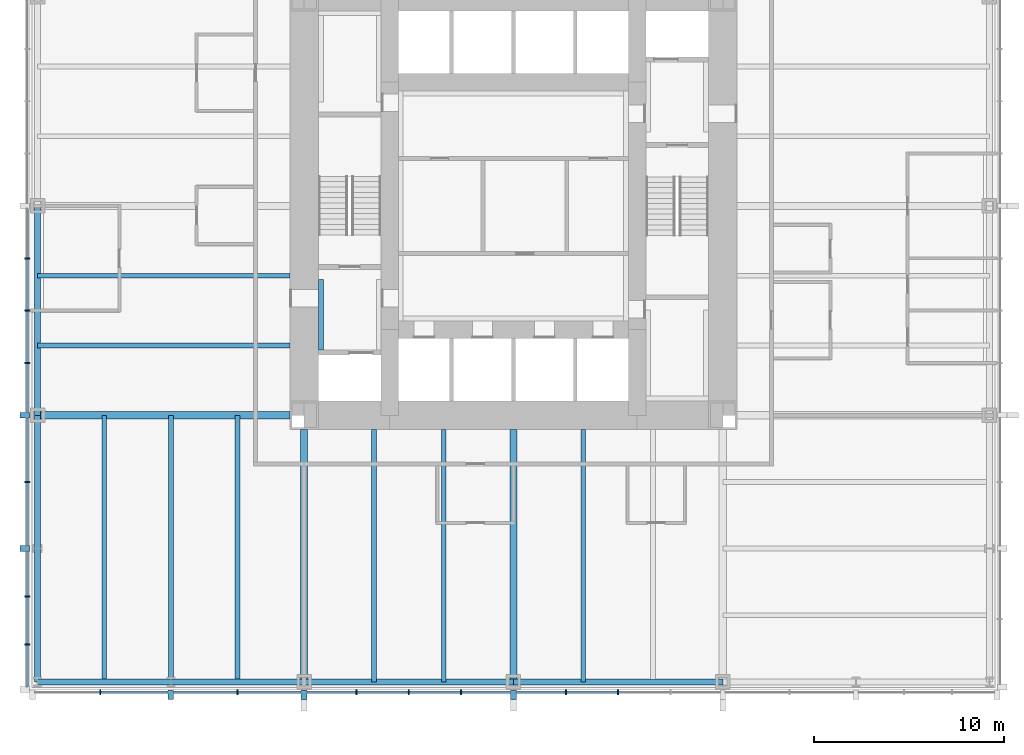
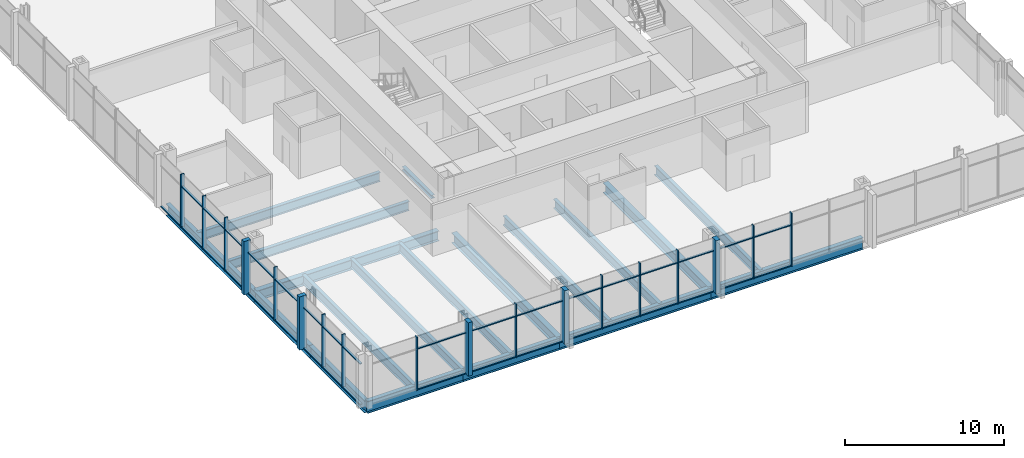
# One storey, part 2 of 12: 53 members, 19 beams, 2 elements without a shape of their own.
"""IFC4 building model written with IfcOpenShell, lengths in metres."""

from ifc_helpers import new_model, si_unit, direction, frame, origin, origin_2d, place, context, subcontext, project, spatial, rectangle, i_section, extrude, material, material_profile, profile_set, type_object, element, aggregate, save


model = new_model("IFC4")

# Units and contexts
model_context = context("Model", 3, precision=1e-05, world=origin(), true_north=direction((0.0, 1.0)))
body_context = subcontext(model_context, "Body", "Model", "MODEL_VIEW")
ifc_project = project(units=[si_unit("LENGTHUNIT", "METRE"), si_unit("AREAUNIT", "SQUARE_METRE"), si_unit("VOLUMEUNIT", "CUBIC_METRE"), si_unit("PLANEANGLEUNIT", "RADIAN"), si_unit("MASSUNIT", "GRAM", prefix="KILO")], contexts=[model_context])

# Site, building, storey
site_placement = place(None, origin())
site = spatial("IfcSite", under=ifc_project, at=site_placement, CompositionType="ELEMENT")
building_placement = place(site_placement, origin())
building = spatial("IfcBuilding", under=site, at=building_placement, Name="Trevanion Tower", CompositionType="ELEMENT")
storey_placement = place(building_placement, frame((0.0, 0.0, 20.10009765625)))
storey = spatial("IfcBuildingStorey", under=building, at=storey_placement, Name="L04", CompositionType="ELEMENT", Elevation=20.10009765625)

# Beams
ifc_material_1 = material(Name="Steel ASTM A992 Grade 50", Category="steel")
ifc_material_profile_1 = material_profile(ifc_material_1, i_section(OverallWidth=0.25390625, OverallDepth=0.700927734375, WebThickness=0.015380859375, FlangeThickness=0.02783203125, at=origin_2d()), Name="W27X129")
ifc_profile_set_1 = profile_set([ifc_material_profile_1], Name="Steel ASTM A992 Grade 50")
beam_type_1 = type_object("IfcBeamType", Name="B3 W27X129", PredefinedType="BEAM", material=ifc_profile_set_1)
for number, where, z_axis, x_axis, name in (
    (1, (-11.75, -3.666748046875, -0.54052734375), (-1.0, 0.0, 0.0), (0.0, -1.0, 0.0), "B3 L04"),
    (2, (-11.75, -7.333251953125, -0.54052734375), (-1.0, 0.0, 0.0), (0.0, -1.0, 0.0), "B3 L04"),
    (3, (-7.333251953125, -11.75, -0.54052734375), (0.0, -1.0, 0.0), (1.0, 0.0, 0.0), "B3 L04"),
    (4, (-3.666748046875, -11.75, -0.54052734375), (0.0, -1.0, 0.0), (1.0, 0.0, 0.0), "B3 L04"),
    (5, (3.666748046875, -11.75, -0.54052734375), (0.0, -1.0, 0.0), (1.0, 0.0, 0.0), "B3 L04"),
):
    element("IfcBeam", number, at=place(storey_placement, frame(where, z_axis=z_axis, x_axis=x_axis)), inside=storey, type_object=beam_type_1, Name=name, PredefinedType="BEAM", context=body_context, shape_type="SweptSolid", body=[
        extrude(i_section(OverallWidth=0.25390625, OverallDepth=0.700927734375, WebThickness=0.015380859375, FlangeThickness=0.02783203125, at=origin_2d()), origin(), (0.0, 0.0, 1.0), 13.25),
    ])
ifc_material_2 = material(Name="Steel ASTM A992 Grade 50", Category="steel")
ifc_material_profile_2 = material_profile(ifc_material_2, i_section(OverallWidth=0.256591796875, OverallDepth=0.693359375, WebThickness=0.014404296875, FlangeThickness=0.023681640625, at=origin_2d()), Name="W27X114")
ifc_profile_set_2 = profile_set([ifc_material_profile_2], Name="Steel ASTM A992 Grade 50")
beam_type_2 = type_object("IfcBeamType", Name="B4 W27X114", PredefinedType="BEAM", material=ifc_profile_set_2)
for number, where, z_axis, x_axis, name in (
    (6, (-14.5, -11.0, -0.536865234375), (0.0, -1.0, 0.0), (1.0, 0.0, 0.0), "B4 L04"),
    (7, (-18.0, -11.0, -0.536865234375), (0.0, -1.0, 0.0), (1.0, 0.0, 0.0), "B4 L04"),
    (8, (-21.5, -11.0, -0.536865234375), (0.0, -1.0, 0.0), (1.0, 0.0, 0.0), "B4 L04"),
):
    element("IfcBeam", number, at=place(storey_placement, frame(where, z_axis=z_axis, x_axis=x_axis)), inside=storey, type_object=beam_type_2, Name=name, PredefinedType="BEAM", context=body_context, shape_type="SweptSolid", body=[
        extrude(i_section(OverallWidth=0.256591796875, OverallDepth=0.693359375, WebThickness=0.014404296875, FlangeThickness=0.023681640625, at=origin_2d()), origin(), (0.0, 0.0, 1.0), 14.0),
    ])

# Curtain wall, members
ifc_material_3 = material(Name="Aluminium and glass", Category="aluminium")
curtain_wall_type = type_object("IfcCurtainWallType", Name="CW1 curtain wall", PredefinedType="USERDEFINED", material=ifc_material_3)
curtain_wall_1_placement = place(storey_placement, origin())
curtain_wall_1 = element("IfcCurtainWall", 9, at=curtain_wall_1_placement, inside=storey, type_object=curtain_wall_type, Name="CW1 L04 2", ObjectType="UNITISED CURTAIN WALL", PredefinedType="USERDEFINED")
ifc_material_4 = material(Name="Aluminium extrusion, anodised bronze", Category="aluminium")
ifc_material_profile_3 = material_profile(ifc_material_4, rectangle(XDim=0.074951171875, YDim=0.25, at=origin_2d()), Name="CW1 mullion")
ifc_profile_set_3 = profile_set([ifc_material_profile_3], Name="Aluminium extrusion, anodised bronze")
member_type_1 = type_object("IfcMemberType", Name="CW1 mullion", PredefinedType="MULLION", material=ifc_profile_set_3)
member_1_placement = place(storey_placement, frame((-25.550048828125, -2.75, -0.190185546875), z_axis=(0.0, 0.0, 1.0), x_axis=(0.0, -1.0, 0.0)))
member_1 = element("IfcMember", 10, at=member_1_placement, type_object=member_type_1, Name="CW1 mullion 10", PredefinedType="MULLION", context=body_context, shape_type="SweptSolid", body=[
    extrude(rectangle(XDim=0.074951171875, YDim=0.25, at=origin_2d()), origin(), (0.0, 0.0, 1.0), 4.10009765625),
])
member_2_placement = place(storey_placement, frame((-25.550048828125, -5.5, -0.190185546875), z_axis=(0.0, 0.0, 1.0), x_axis=(0.0, -1.0, 0.0)))
member_2 = element("IfcMember", 11, at=member_2_placement, type_object=member_type_1, Name="CW1 mullion 11", PredefinedType="MULLION", context=body_context, shape_type="SweptSolid", body=[
    extrude(rectangle(XDim=0.074951171875, YDim=0.25, at=origin_2d()), origin(), (0.0, 0.0, 1.0), 4.10009765625),
])
member_3_placement = place(storey_placement, frame((-25.550048828125, -8.25, -0.190185546875), z_axis=(0.0, 0.0, 1.0), x_axis=(0.0, -1.0, 0.0)))
member_3 = element("IfcMember", 12, at=member_3_placement, type_object=member_type_1, Name="CW1 mullion 12", PredefinedType="MULLION", context=body_context, shape_type="SweptSolid", body=[
    extrude(rectangle(XDim=0.074951171875, YDim=0.25, at=origin_2d()), origin(), (0.0, 0.0, 1.0), 4.10009765625),
])
member_4_placement = place(storey_placement, frame((-25.550048828125, -14.5, -0.190185546875), z_axis=(0.0, 0.0, 1.0), x_axis=(0.0, -1.0, 0.0)))
member_4 = element("IfcMember", 13, at=member_4_placement, type_object=member_type_1, Name="CW1 mullion 14", PredefinedType="MULLION", context=body_context, shape_type="SweptSolid", body=[
    extrude(rectangle(XDim=0.074951171875, YDim=0.25, at=origin_2d()), origin(), (0.0, 0.0, 1.0), 4.10009765625),
])
member_5_placement = place(storey_placement, frame((-25.550048828125, -20.5166015625, -0.190185546875), z_axis=(0.0, 0.0, 1.0), x_axis=(0.0, -1.0, 0.0)))
member_5 = element("IfcMember", 14, at=member_5_placement, type_object=member_type_1, Name="CW1 mullion 16", PredefinedType="MULLION", context=body_context, shape_type="SweptSolid", body=[
    extrude(rectangle(XDim=0.074951171875, YDim=0.25, at=origin_2d()), origin(), (0.0, 0.0, 1.0), 4.10009765625),
])
member_6_placement = place(storey_placement, frame((-25.550048828125, -23.033203125, -0.190185546875), z_axis=(0.0, 0.0, 1.0), x_axis=(0.0, -1.0, 0.0)))
member_6 = element("IfcMember", 15, at=member_6_placement, type_object=member_type_1, Name="CW1 mullion 17", PredefinedType="MULLION", context=body_context, shape_type="SweptSolid", body=[
    extrude(rectangle(XDim=0.074951171875, YDim=0.25, at=origin_2d()), origin(), (0.0, 0.0, 1.0), 4.10009765625),
])

curtain_wall_2_placement = place(storey_placement, origin())
curtain_wall_2 = element("IfcCurtainWall", 16, at=curtain_wall_2_placement, inside=storey, type_object=curtain_wall_type, Name="CW1 L04 3", ObjectType="UNITISED CURTAIN WALL", PredefinedType="USERDEFINED")
member_7_placement = place(storey_placement, frame((-21.7099609375, -25.550048828125, -0.190185546875), z_axis=(0.0, 0.0, 1.0), x_axis=(1.0, 0.0, 0.0)))
member_7 = element("IfcMember", 17, at=member_7_placement, type_object=member_type_1, Name="CW1 mullion 2", PredefinedType="MULLION", context=body_context, shape_type="SweptSolid", body=[
    extrude(rectangle(XDim=0.074951171875, YDim=0.25, at=origin_2d()), origin(), (0.0, 0.0, 1.0), 4.10009765625),
])
member_8_placement = place(storey_placement, frame((-14.5, -25.550048828125, -0.190185546875), z_axis=(0.0, 0.0, 1.0), x_axis=(1.0, 0.0, 0.0)))
member_8 = element("IfcMember", 18, at=member_8_placement, type_object=member_type_1, Name="CW1 mullion 4", PredefinedType="MULLION", context=body_context, shape_type="SweptSolid", body=[
    extrude(rectangle(XDim=0.074951171875, YDim=0.25, at=origin_2d()), origin(), (0.0, 0.0, 1.0), 4.10009765625),
])
member_9_placement = place(storey_placement, frame((-8.25, -25.550048828125, -0.190185546875), z_axis=(0.0, 0.0, 1.0), x_axis=(1.0, 0.0, 0.0)))
member_9 = element("IfcMember", 19, at=member_9_placement, type_object=member_type_1, Name="CW1 mullion 6", PredefinedType="MULLION", context=body_context, shape_type="SweptSolid", body=[
    extrude(rectangle(XDim=0.074951171875, YDim=0.25, at=origin_2d()), origin(), (0.0, 0.0, 1.0), 4.10009765625),
])
member_10_placement = place(storey_placement, frame((-5.5, -25.550048828125, -0.190185546875), z_axis=(0.0, 0.0, 1.0), x_axis=(1.0, 0.0, 0.0)))
member_10 = element("IfcMember", 20, at=member_10_placement, type_object=member_type_1, Name="CW1 mullion 7", PredefinedType="MULLION", context=body_context, shape_type="SweptSolid", body=[
    extrude(rectangle(XDim=0.074951171875, YDim=0.25, at=origin_2d()), origin(), (0.0, 0.0, 1.0), 4.10009765625),
])
member_11_placement = place(storey_placement, frame((-2.75, -25.550048828125, -0.190185546875), z_axis=(0.0, 0.0, 1.0), x_axis=(1.0, 0.0, 0.0)))
member_11 = element("IfcMember", 21, at=member_11_placement, type_object=member_type_1, Name="CW1 mullion 8", PredefinedType="MULLION", context=body_context, shape_type="SweptSolid", body=[
    extrude(rectangle(XDim=0.074951171875, YDim=0.25, at=origin_2d()), origin(), (0.0, 0.0, 1.0), 4.10009765625),
])
member_12_placement = place(storey_placement, frame((2.75, -25.550048828125, -0.190185546875), z_axis=(0.0, 0.0, 1.0), x_axis=(1.0, 0.0, 0.0)))
member_12 = element("IfcMember", 22, at=member_12_placement, type_object=member_type_1, Name="CW1 mullion 10", PredefinedType="MULLION", context=body_context, shape_type="SweptSolid", body=[
    extrude(rectangle(XDim=0.074951171875, YDim=0.25, at=origin_2d()), origin(), (0.0, 0.0, 1.0), 4.10009765625),
])
member_13_placement = place(storey_placement, frame((5.5, -25.550048828125, -0.190185546875), z_axis=(0.0, 0.0, 1.0), x_axis=(1.0, 0.0, 0.0)))
member_13 = element("IfcMember", 23, at=member_13_placement, type_object=member_type_1, Name="CW1 mullion 11", PredefinedType="MULLION", context=body_context, shape_type="SweptSolid", body=[
    extrude(rectangle(XDim=0.074951171875, YDim=0.25, at=origin_2d()), origin(), (0.0, 0.0, 1.0), 4.10009765625),
])

# Member
ifc_material_5 = material(Name="Aluminium extrusion, anodised bronze", Category="aluminium")
ifc_material_profile_4 = material_profile(ifc_material_5, rectangle(XDim=0.300048828125, YDim=0.5, at=origin_2d()), Name="CW1 pier mullion")
ifc_profile_set_4 = profile_set([ifc_material_profile_4], Name="Aluminium extrusion, anodised bronze")
member_type_2 = type_object("IfcMemberType", Name="CW1 pier mullion", PredefinedType="MULLION", material=ifc_profile_set_4)
member_14_placement = place(storey_placement, frame((-25.675048828125, -11.0, -0.190185546875), z_axis=(0.0, 0.0, 1.0), x_axis=(0.0, -1.0, 0.0)))
member_14 = element("IfcMember", 24, at=member_14_placement, type_object=member_type_2, Name="CW1 pier mullion 13", PredefinedType="MULLION", context=body_context, shape_type="SweptSolid", body=[
    extrude(rectangle(XDim=0.300048828125, YDim=0.5, at=origin_2d()), origin(), (0.0, 0.0, 1.0), 4.10009765625),
])

member_15_placement = place(storey_placement, frame((-25.675048828125, -18.0, -0.190185546875), z_axis=(0.0, 0.0, 1.0), x_axis=(0.0, -1.0, 0.0)))
member_15 = element("IfcMember", 25, at=member_15_placement, type_object=member_type_2, Name="CW1 pier mullion 15", PredefinedType="MULLION", context=body_context, shape_type="SweptSolid", body=[
    extrude(rectangle(XDim=0.300048828125, YDim=0.5, at=origin_2d()), origin(), (0.0, 0.0, 1.0), 4.10009765625),
])

member_16_placement = place(storey_placement, frame((-18.0, -25.675048828125, -0.190185546875), z_axis=(0.0, 0.0, 1.0), x_axis=(1.0, 0.0, 0.0)))
member_16 = element("IfcMember", 26, at=member_16_placement, type_object=member_type_2, Name="CW1 pier mullion 3", PredefinedType="MULLION", context=body_context, shape_type="SweptSolid", body=[
    extrude(rectangle(XDim=0.300048828125, YDim=0.5, at=origin_2d()), origin(), (0.0, 0.0, 1.0), 4.10009765625),
])

member_17_placement = place(storey_placement, frame((-11.0, -25.675048828125, -0.190185546875), z_axis=(0.0, 0.0, 1.0), x_axis=(1.0, 0.0, 0.0)))
member_17 = element("IfcMember", 27, at=member_17_placement, type_object=member_type_2, Name="CW1 pier mullion 5", PredefinedType="MULLION", context=body_context, shape_type="SweptSolid", body=[
    extrude(rectangle(XDim=0.300048828125, YDim=0.5, at=origin_2d()), origin(), (0.0, 0.0, 1.0), 4.10009765625),
])

member_18_placement = place(storey_placement, frame((0.0, -25.675048828125, -0.190185546875), z_axis=(0.0, 0.0, 1.0), x_axis=(1.0, 0.0, 0.0)))
member_18 = element("IfcMember", 28, at=member_18_placement, type_object=member_type_2, Name="CW1 pier mullion 9", PredefinedType="MULLION", context=body_context, shape_type="SweptSolid", body=[
    extrude(rectangle(XDim=0.300048828125, YDim=0.5, at=origin_2d()), origin(), (0.0, 0.0, 1.0), 4.10009765625),
])

ifc_material_6 = material(Name="Aluminium extrusion, anodised bronze", Category="aluminium")
ifc_material_profile_5 = material_profile(ifc_material_6, rectangle(XDim=0.14990234375, YDim=0.074951171875, at=origin_2d()), Name="CW1 transom")
ifc_profile_set_5 = profile_set([ifc_material_profile_5], Name="Aluminium extrusion, anodised bronze")
member_type_3 = type_object("IfcMemberType", Name="CW1 transom", PredefinedType="USERDEFINED", material=ifc_profile_set_5)
member_19_placement = place(storey_placement, frame((-25.550048828125, -0.14990234375, -0.152587890625), z_axis=(0.0, -1.0, 0.0), x_axis=(1.0, 0.0, 0.0)))
member_19 = element("IfcMember", 29, at=member_19_placement, type_object=member_type_3, Name="CW1 transom 9.1", ObjectType="TRANSOM", PredefinedType="USERDEFINED", context=body_context, shape_type="SweptSolid", body=[
    extrude(rectangle(XDim=0.14990234375, YDim=0.074951171875, at=origin_2d()), origin(), (0.0, 0.0, 1.0), 2.5625),
])

member_20_placement = place(storey_placement, frame((-25.550048828125, -2.78759765625, -0.152587890625), z_axis=(0.0, -1.0, 0.0), x_axis=(1.0, 0.0, 0.0)))
member_20 = element("IfcMember", 30, at=member_20_placement, type_object=member_type_3, Name="CW1 transom 10.1", ObjectType="TRANSOM", PredefinedType="USERDEFINED", context=body_context, shape_type="SweptSolid", body=[
    extrude(rectangle(XDim=0.14990234375, YDim=0.074951171875, at=origin_2d()), origin(), (0.0, 0.0, 1.0), 2.6748046875),
])

member_21_placement = place(storey_placement, frame((-25.550048828125, -2.78759765625, 2.9599609375), z_axis=(0.0, -1.0, 0.0), x_axis=(1.0, 0.0, 0.0)))
member_21 = element("IfcMember", 31, at=member_21_placement, type_object=member_type_3, Name="CW1 transom 10.2", ObjectType="TRANSOM", PredefinedType="USERDEFINED", context=body_context, shape_type="SweptSolid", body=[
    extrude(rectangle(XDim=0.14990234375, YDim=0.074951171875, at=origin_2d()), origin(), (0.0, 0.0, 1.0), 2.6748046875),
])

member_22_placement = place(storey_placement, frame((-25.550048828125, -5.53759765625, -0.152587890625), z_axis=(0.0, -1.0, 0.0), x_axis=(1.0, 0.0, 0.0)))
member_22 = element("IfcMember", 32, at=member_22_placement, type_object=member_type_3, Name="CW1 transom 11.1", ObjectType="TRANSOM", PredefinedType="USERDEFINED", context=body_context, shape_type="SweptSolid", body=[
    extrude(rectangle(XDim=0.14990234375, YDim=0.074951171875, at=origin_2d()), origin(), (0.0, 0.0, 1.0), 2.6748046875),
])

member_23_placement = place(storey_placement, frame((-25.550048828125, -5.53759765625, 2.9599609375), z_axis=(0.0, -1.0, 0.0), x_axis=(1.0, 0.0, 0.0)))
member_23 = element("IfcMember", 33, at=member_23_placement, type_object=member_type_3, Name="CW1 transom 11.2", ObjectType="TRANSOM", PredefinedType="USERDEFINED", context=body_context, shape_type="SweptSolid", body=[
    extrude(rectangle(XDim=0.14990234375, YDim=0.074951171875, at=origin_2d()), origin(), (0.0, 0.0, 1.0), 2.6748046875),
])

member_24_placement = place(storey_placement, frame((-25.550048828125, -8.28759765625, -0.152587890625), z_axis=(0.0, -1.0, 0.0), x_axis=(1.0, 0.0, 0.0)))
member_24 = element("IfcMember", 34, at=member_24_placement, type_object=member_type_3, Name="CW1 transom 12.1", ObjectType="TRANSOM", PredefinedType="USERDEFINED", context=body_context, shape_type="SweptSolid", body=[
    extrude(rectangle(XDim=0.14990234375, YDim=0.074951171875, at=origin_2d()), origin(), (0.0, 0.0, 1.0), 2.5625),
])

member_25_placement = place(storey_placement, frame((-25.550048828125, -8.28759765625, 2.9599609375), z_axis=(0.0, -1.0, 0.0), x_axis=(1.0, 0.0, 0.0)))
member_25 = element("IfcMember", 35, at=member_25_placement, type_object=member_type_3, Name="CW1 transom 12.2", ObjectType="TRANSOM", PredefinedType="USERDEFINED", context=body_context, shape_type="SweptSolid", body=[
    extrude(rectangle(XDim=0.14990234375, YDim=0.074951171875, at=origin_2d()), origin(), (0.0, 0.0, 1.0), 2.5625),
])

member_26_placement = place(storey_placement, frame((-25.550048828125, -11.14990234375, -0.152587890625), z_axis=(0.0, -1.0, 0.0), x_axis=(1.0, 0.0, 0.0)))
member_26 = element("IfcMember", 36, at=member_26_placement, type_object=member_type_3, Name="CW1 transom 13.1", ObjectType="TRANSOM", PredefinedType="USERDEFINED", context=body_context, shape_type="SweptSolid", body=[
    extrude(rectangle(XDim=0.14990234375, YDim=0.074951171875, at=origin_2d()), origin(), (0.0, 0.0, 1.0), 3.3125),
])

member_27_placement = place(storey_placement, frame((-25.550048828125, -11.14990234375, 2.9599609375), z_axis=(0.0, -1.0, 0.0), x_axis=(1.0, 0.0, 0.0)))
member_27 = element("IfcMember", 37, at=member_27_placement, type_object=member_type_3, Name="CW1 transom 13.2", ObjectType="TRANSOM", PredefinedType="USERDEFINED", context=body_context, shape_type="SweptSolid", body=[
    extrude(rectangle(XDim=0.14990234375, YDim=0.074951171875, at=origin_2d()), origin(), (0.0, 0.0, 1.0), 3.3125),
])

member_28_placement = place(storey_placement, frame((-25.550048828125, -14.53759765625, -0.152587890625), z_axis=(0.0, -1.0, 0.0), x_axis=(1.0, 0.0, 0.0)))
member_28 = element("IfcMember", 38, at=member_28_placement, type_object=member_type_3, Name="CW1 transom 14.1", ObjectType="TRANSOM", PredefinedType="USERDEFINED", context=body_context, shape_type="SweptSolid", body=[
    extrude(rectangle(XDim=0.14990234375, YDim=0.074951171875, at=origin_2d()), origin(), (0.0, 0.0, 1.0), 3.3125),
])

member_29_placement = place(storey_placement, frame((-25.550048828125, -14.53759765625, 2.9599609375), z_axis=(0.0, -1.0, 0.0), x_axis=(1.0, 0.0, 0.0)))
member_29 = element("IfcMember", 39, at=member_29_placement, type_object=member_type_3, Name="CW1 transom 14.2", ObjectType="TRANSOM", PredefinedType="USERDEFINED", context=body_context, shape_type="SweptSolid", body=[
    extrude(rectangle(XDim=0.14990234375, YDim=0.074951171875, at=origin_2d()), origin(), (0.0, 0.0, 1.0), 3.3125),
])

member_30_placement = place(storey_placement, frame((-25.550048828125, -18.14990234375, -0.152587890625), z_axis=(0.0, -1.0, 0.0), x_axis=(1.0, 0.0, 0.0)))
member_30 = element("IfcMember", 40, at=member_30_placement, type_object=member_type_3, Name="CW1 transom 15.1", ObjectType="TRANSOM", PredefinedType="USERDEFINED", context=body_context, shape_type="SweptSolid", body=[
    extrude(rectangle(XDim=0.14990234375, YDim=0.074951171875, at=origin_2d()), origin(), (0.0, 0.0, 1.0), 2.329345703125),
])

member_31_placement = place(storey_placement, frame((-25.550048828125, -18.14990234375, 2.9599609375), z_axis=(0.0, -1.0, 0.0), x_axis=(1.0, 0.0, 0.0)))
member_31 = element("IfcMember", 41, at=member_31_placement, type_object=member_type_3, Name="CW1 transom 15.2", ObjectType="TRANSOM", PredefinedType="USERDEFINED", context=body_context, shape_type="SweptSolid", body=[
    extrude(rectangle(XDim=0.14990234375, YDim=0.074951171875, at=origin_2d()), origin(), (0.0, 0.0, 1.0), 2.329345703125),
])

member_32_placement = place(storey_placement, frame((-25.550048828125, -20.55419921875, -0.152587890625), z_axis=(0.0, -1.0, 0.0), x_axis=(1.0, 0.0, 0.0)))
member_32 = element("IfcMember", 42, at=member_32_placement, type_object=member_type_3, Name="CW1 transom 16.1", ObjectType="TRANSOM", PredefinedType="USERDEFINED", context=body_context, shape_type="SweptSolid", body=[
    extrude(rectangle(XDim=0.14990234375, YDim=0.074951171875, at=origin_2d()), origin(), (0.0, 0.0, 1.0), 2.441650390625),
])

member_33_placement = place(storey_placement, frame((-25.550048828125, -20.55419921875, 2.9599609375), z_axis=(0.0, -1.0, 0.0), x_axis=(1.0, 0.0, 0.0)))
member_33 = element("IfcMember", 43, at=member_33_placement, type_object=member_type_3, Name="CW1 transom 16.2", ObjectType="TRANSOM", PredefinedType="USERDEFINED", context=body_context, shape_type="SweptSolid", body=[
    extrude(rectangle(XDim=0.14990234375, YDim=0.074951171875, at=origin_2d()), origin(), (0.0, 0.0, 1.0), 2.441650390625),
])

member_34_placement = place(storey_placement, frame((-25.550048828125, -23.07080078125, -0.152587890625), z_axis=(0.0, -1.0, 0.0), x_axis=(1.0, 0.0, 0.0)))
member_34 = element("IfcMember", 44, at=member_34_placement, type_object=member_type_3, Name="CW1 transom 17.1", ObjectType="TRANSOM", PredefinedType="USERDEFINED", context=body_context, shape_type="SweptSolid", body=[
    extrude(rectangle(XDim=0.14990234375, YDim=0.074951171875, at=origin_2d()), origin(), (0.0, 0.0, 1.0), 2.17919921875),
])

member_35_placement = place(storey_placement, frame((-25.550048828125, -23.07080078125, 2.9599609375), z_axis=(0.0, -1.0, 0.0), x_axis=(1.0, 0.0, 0.0)))
member_35 = element("IfcMember", 45, at=member_35_placement, type_object=member_type_3, Name="CW1 transom 17.2", ObjectType="TRANSOM", PredefinedType="USERDEFINED", context=body_context, shape_type="SweptSolid", body=[
    extrude(rectangle(XDim=0.14990234375, YDim=0.074951171875, at=origin_2d()), origin(), (0.0, 0.0, 1.0), 2.17919921875),
])

aggregate(curtain_wall_1, [member_1, member_2, member_3, member_14, member_4, member_15, member_5, member_6, member_19, member_20, member_21, member_22, member_23, member_24, member_25, member_26, member_27, member_28, member_29, member_30, member_31, member_32, member_33, member_34, member_35])

member_36_placement = place(storey_placement, frame((-21.672607421875, -25.550048828125, -0.152587890625), z_axis=(1.0, 0.0, 0.0), x_axis=(0.0, 1.0, 0.0)))
member_36 = element("IfcMember", 46, at=member_36_placement, type_object=member_type_3, Name="CW1 transom 2.1", ObjectType="TRANSOM", PredefinedType="USERDEFINED", context=body_context, shape_type="SweptSolid", body=[
    extrude(rectangle(XDim=0.14990234375, YDim=0.074951171875, at=origin_2d()), origin(), (0.0, 0.0, 1.0), 3.522705078125),
])

member_37_placement = place(storey_placement, frame((-21.672607421875, -25.550048828125, 2.9599609375), z_axis=(1.0, 0.0, 0.0), x_axis=(0.0, 1.0, 0.0)))
member_37 = element("IfcMember", 47, at=member_37_placement, type_object=member_type_3, Name="CW1 transom 2.2", ObjectType="TRANSOM", PredefinedType="USERDEFINED", context=body_context, shape_type="SweptSolid", body=[
    extrude(rectangle(XDim=0.14990234375, YDim=0.074951171875, at=origin_2d()), origin(), (0.0, 0.0, 1.0), 3.522705078125),
])

member_38_placement = place(storey_placement, frame((-17.85009765625, -25.550048828125, -0.152587890625), z_axis=(1.0, 0.0, 0.0), x_axis=(0.0, 1.0, 0.0)))
member_38 = element("IfcMember", 48, at=member_38_placement, type_object=member_type_3, Name="CW1 transom 3.1", ObjectType="TRANSOM", PredefinedType="USERDEFINED", context=body_context, shape_type="SweptSolid", body=[
    extrude(rectangle(XDim=0.14990234375, YDim=0.074951171875, at=origin_2d()), origin(), (0.0, 0.0, 1.0), 3.3125),
])

member_39_placement = place(storey_placement, frame((-17.85009765625, -25.550048828125, 2.9599609375), z_axis=(1.0, 0.0, 0.0), x_axis=(0.0, 1.0, 0.0)))
member_39 = element("IfcMember", 49, at=member_39_placement, type_object=member_type_3, Name="CW1 transom 3.2", ObjectType="TRANSOM", PredefinedType="USERDEFINED", context=body_context, shape_type="SweptSolid", body=[
    extrude(rectangle(XDim=0.14990234375, YDim=0.074951171875, at=origin_2d()), origin(), (0.0, 0.0, 1.0), 3.3125),
])

member_40_placement = place(storey_placement, frame((-14.46240234375, -25.550048828125, -0.152587890625), z_axis=(1.0, 0.0, 0.0), x_axis=(0.0, 1.0, 0.0)))
member_40 = element("IfcMember", 50, at=member_40_placement, type_object=member_type_3, Name="CW1 transom 4.1", ObjectType="TRANSOM", PredefinedType="USERDEFINED", context=body_context, shape_type="SweptSolid", body=[
    extrude(rectangle(XDim=0.14990234375, YDim=0.074951171875, at=origin_2d()), origin(), (0.0, 0.0, 1.0), 3.3125),
])

member_41_placement = place(storey_placement, frame((-14.46240234375, -25.550048828125, 2.9599609375), z_axis=(1.0, 0.0, 0.0), x_axis=(0.0, 1.0, 0.0)))
member_41 = element("IfcMember", 51, at=member_41_placement, type_object=member_type_3, Name="CW1 transom 4.2", ObjectType="TRANSOM", PredefinedType="USERDEFINED", context=body_context, shape_type="SweptSolid", body=[
    extrude(rectangle(XDim=0.14990234375, YDim=0.074951171875, at=origin_2d()), origin(), (0.0, 0.0, 1.0), 3.3125),
])

member_42_placement = place(storey_placement, frame((-10.85009765625, -25.550048828125, -0.152587890625), z_axis=(1.0, 0.0, 0.0), x_axis=(0.0, 1.0, 0.0)))
member_42 = element("IfcMember", 52, at=member_42_placement, type_object=member_type_3, Name="CW1 transom 5.1", ObjectType="TRANSOM", PredefinedType="USERDEFINED", context=body_context, shape_type="SweptSolid", body=[
    extrude(rectangle(XDim=0.14990234375, YDim=0.074951171875, at=origin_2d()), origin(), (0.0, 0.0, 1.0), 2.5625),
])

member_43_placement = place(storey_placement, frame((-10.85009765625, -25.550048828125, 2.9599609375), z_axis=(1.0, 0.0, 0.0), x_axis=(0.0, 1.0, 0.0)))
member_43 = element("IfcMember", 53, at=member_43_placement, type_object=member_type_3, Name="CW1 transom 5.2", ObjectType="TRANSOM", PredefinedType="USERDEFINED", context=body_context, shape_type="SweptSolid", body=[
    extrude(rectangle(XDim=0.14990234375, YDim=0.074951171875, at=origin_2d()), origin(), (0.0, 0.0, 1.0), 2.5625),
])

member_44_placement = place(storey_placement, frame((-8.21240234375, -25.550048828125, -0.152587890625), z_axis=(1.0, 0.0, 0.0), x_axis=(0.0, 1.0, 0.0)))
member_44 = element("IfcMember", 54, at=member_44_placement, type_object=member_type_3, Name="CW1 transom 6.1", ObjectType="TRANSOM", PredefinedType="USERDEFINED", context=body_context, shape_type="SweptSolid", body=[
    extrude(rectangle(XDim=0.14990234375, YDim=0.074951171875, at=origin_2d()), origin(), (0.0, 0.0, 1.0), 2.6748046875),
])

member_45_placement = place(storey_placement, frame((-8.21240234375, -25.550048828125, 2.9599609375), z_axis=(1.0, 0.0, 0.0), x_axis=(0.0, 1.0, 0.0)))
member_45 = element("IfcMember", 55, at=member_45_placement, type_object=member_type_3, Name="CW1 transom 6.2", ObjectType="TRANSOM", PredefinedType="USERDEFINED", context=body_context, shape_type="SweptSolid", body=[
    extrude(rectangle(XDim=0.14990234375, YDim=0.074951171875, at=origin_2d()), origin(), (0.0, 0.0, 1.0), 2.6748046875),
])

member_46_placement = place(storey_placement, frame((-5.46240234375, -25.550048828125, -0.152587890625), z_axis=(1.0, 0.0, 0.0), x_axis=(0.0, 1.0, 0.0)))
member_46 = element("IfcMember", 56, at=member_46_placement, type_object=member_type_3, Name="CW1 transom 7.1", ObjectType="TRANSOM", PredefinedType="USERDEFINED", context=body_context, shape_type="SweptSolid", body=[
    extrude(rectangle(XDim=0.14990234375, YDim=0.074951171875, at=origin_2d()), origin(), (0.0, 0.0, 1.0), 2.6748046875),
])

member_47_placement = place(storey_placement, frame((-5.46240234375, -25.550048828125, 2.9599609375), z_axis=(1.0, 0.0, 0.0), x_axis=(0.0, 1.0, 0.0)))
member_47 = element("IfcMember", 57, at=member_47_placement, type_object=member_type_3, Name="CW1 transom 7.2", ObjectType="TRANSOM", PredefinedType="USERDEFINED", context=body_context, shape_type="SweptSolid", body=[
    extrude(rectangle(XDim=0.14990234375, YDim=0.074951171875, at=origin_2d()), origin(), (0.0, 0.0, 1.0), 2.6748046875),
])

member_48_placement = place(storey_placement, frame((-2.71240234375, -25.550048828125, -0.152587890625), z_axis=(1.0, 0.0, 0.0), x_axis=(0.0, 1.0, 0.0)))
member_48 = element("IfcMember", 58, at=member_48_placement, type_object=member_type_3, Name="CW1 transom 8.1", ObjectType="TRANSOM", PredefinedType="USERDEFINED", context=body_context, shape_type="SweptSolid", body=[
    extrude(rectangle(XDim=0.14990234375, YDim=0.074951171875, at=origin_2d()), origin(), (0.0, 0.0, 1.0), 2.5625),
])

member_49_placement = place(storey_placement, frame((-2.71240234375, -25.550048828125, 2.9599609375), z_axis=(1.0, 0.0, 0.0), x_axis=(0.0, 1.0, 0.0)))
member_49 = element("IfcMember", 59, at=member_49_placement, type_object=member_type_3, Name="CW1 transom 8.2", ObjectType="TRANSOM", PredefinedType="USERDEFINED", context=body_context, shape_type="SweptSolid", body=[
    extrude(rectangle(XDim=0.14990234375, YDim=0.074951171875, at=origin_2d()), origin(), (0.0, 0.0, 1.0), 2.5625),
])

member_50_placement = place(storey_placement, frame((0.14990234375, -25.550048828125, -0.152587890625), z_axis=(1.0, 0.0, 0.0), x_axis=(0.0, 1.0, 0.0)))
member_50 = element("IfcMember", 60, at=member_50_placement, type_object=member_type_3, Name="CW1 transom 9.1", ObjectType="TRANSOM", PredefinedType="USERDEFINED", context=body_context, shape_type="SweptSolid", body=[
    extrude(rectangle(XDim=0.14990234375, YDim=0.074951171875, at=origin_2d()), origin(), (0.0, 0.0, 1.0), 2.5625),
])

member_51_placement = place(storey_placement, frame((0.14990234375, -25.550048828125, 2.9599609375), z_axis=(1.0, 0.0, 0.0), x_axis=(0.0, 1.0, 0.0)))
member_51 = element("IfcMember", 61, at=member_51_placement, type_object=member_type_3, Name="CW1 transom 9.2", ObjectType="TRANSOM", PredefinedType="USERDEFINED", context=body_context, shape_type="SweptSolid", body=[
    extrude(rectangle(XDim=0.14990234375, YDim=0.074951171875, at=origin_2d()), origin(), (0.0, 0.0, 1.0), 2.5625),
])

member_52_placement = place(storey_placement, frame((2.78759765625, -25.550048828125, -0.152587890625), z_axis=(1.0, 0.0, 0.0), x_axis=(0.0, 1.0, 0.0)))
member_52 = element("IfcMember", 62, at=member_52_placement, type_object=member_type_3, Name="CW1 transom 10.1", ObjectType="TRANSOM", PredefinedType="USERDEFINED", context=body_context, shape_type="SweptSolid", body=[
    extrude(rectangle(XDim=0.14990234375, YDim=0.074951171875, at=origin_2d()), origin(), (0.0, 0.0, 1.0), 2.6748046875),
])

member_53_placement = place(storey_placement, frame((2.78759765625, -25.550048828125, 2.9599609375), z_axis=(1.0, 0.0, 0.0), x_axis=(0.0, 1.0, 0.0)))
member_53 = element("IfcMember", 63, at=member_53_placement, type_object=member_type_3, Name="CW1 transom 10.2", ObjectType="TRANSOM", PredefinedType="USERDEFINED", context=body_context, shape_type="SweptSolid", body=[
    extrude(rectangle(XDim=0.14990234375, YDim=0.074951171875, at=origin_2d()), origin(), (0.0, 0.0, 1.0), 2.6748046875),
])

aggregate(curtain_wall_2, [member_7, member_16, member_8, member_17, member_9, member_10, member_11, member_18, member_12, member_13, member_36, member_37, member_38, member_39, member_40, member_41, member_42, member_43, member_44, member_45, member_46, member_47, member_48, member_49, member_50, member_51, member_52, member_53])

# Beams
ifc_material_7 = material(Name="Steel ASTM A992 Grade 50", Category="steel")
ifc_material_profile_6 = material_profile(ifc_material_7, i_section(OverallWidth=0.381103515625, OverallDepth=0.77978515625, WebThickness=0.01806640625, FlangeThickness=0.0302734375, at=origin_2d()), Name="W30X191")
ifc_profile_set_6 = profile_set([ifc_material_profile_6], Name="Steel ASTM A992 Grade 50")
beam_type_3 = type_object("IfcBeamType", Name="G2 W30X191", PredefinedType="BEAM", material=ifc_profile_set_6)
for number, where, z_axis, x_axis, name in (
    (64, (-11.75, -11.0, -0.580078125), (-1.0, 0.0, 0.0), (0.0, -1.0, 0.0), "G2 L04"),
    (65, (-11.0, -11.75, -0.580078125), (0.0, -1.0, 0.0), (1.0, 0.0, 0.0), "G2 L04"),
    (66, (0.0, -11.75, -0.580078125), (0.0, -1.0, 0.0), (1.0, 0.0, 0.0), "G2 L04"),
):
    element("IfcBeam", number, at=place(storey_placement, frame(where, z_axis=z_axis, x_axis=x_axis)), inside=storey, type_object=beam_type_3, Name=name, PredefinedType="BEAM", context=body_context, shape_type="SweptSolid", body=[
        extrude(i_section(OverallWidth=0.381103515625, OverallDepth=0.77978515625, WebThickness=0.01806640625, FlangeThickness=0.0302734375, at=origin_2d()), origin(), (0.0, 0.0, 1.0), 13.25),
    ])
ifc_material_8 = material(Name="Steel ASTM A992 Grade 50", Category="steel")
ifc_material_profile_7 = material_profile(ifc_material_8, i_section(OverallWidth=0.256591796875, OverallDepth=0.26416015625, WebThickness=0.011962890625, FlangeThickness=0.01953125, at=origin_2d()), Name="W10X68")
ifc_profile_set_7 = profile_set([ifc_material_profile_7], Name="Steel ASTM A992 Grade 50")
beam_type_4 = type_object("IfcBeamType", Name="LB1 W10X68", PredefinedType="BEAM", material=ifc_profile_set_7)
beam_1_placement = place(storey_placement, frame((-10.12158203125, -7.574951171875, -0.332275390625), z_axis=(0.0, 1.0, 0.0), x_axis=(-1.0, 0.0, 0.0)))
element("IfcBeam", 67, at=beam_1_placement, inside=storey, type_object=beam_type_4, Name="LB1 L04", PredefinedType="BEAM", context=body_context, shape_type="SweptSolid", body=[
    extrude(i_section(OverallWidth=0.256591796875, OverallDepth=0.26416015625, WebThickness=0.011962890625, FlangeThickness=0.01953125, at=origin_2d()), origin(), (0.0, 0.0, 1.0), 3.699951171875),
])
ifc_material_9 = material(Name="Steel ASTM A992 Grade 50", Category="steel")
ifc_material_profile_8 = material_profile(ifc_material_9, i_section(OverallWidth=0.307373046875, OverallDepth=0.927001953125, WebThickness=0.01953125, FlangeThickness=0.031982421875, at=origin_2d()), Name="W36X194")
ifc_profile_set_8 = profile_set([ifc_material_profile_8], Name="Steel ASTM A992 Grade 50")
beam_type_5 = type_object("IfcBeamType", Name="SB2 W36X194", PredefinedType="SPANDREL", material=ifc_profile_set_8)
beam_2_placement = place(storey_placement, frame((-25.0, 0.0, -0.65380859375), z_axis=(0.0, -1.0, 0.0), x_axis=(1.0, 0.0, 0.0)))
element("IfcBeam", 68, at=beam_2_placement, inside=storey, type_object=beam_type_5, Name="SB2 L04", PredefinedType="SPANDREL", context=body_context, shape_type="SweptSolid", body=[
    extrude(i_section(OverallWidth=0.307373046875, OverallDepth=0.927001953125, WebThickness=0.01953125, FlangeThickness=0.031982421875, at=origin_2d()), origin(), (0.0, 0.0, 1.0), 11.0),
])
for number, where, z_axis, x_axis, name in (
    (69, (-25.0, -11.0, -0.65380859375), (0.0, -1.0, 0.0), (1.0, 0.0, 0.0), "SB2 L04"),
    (70, (-25.0, -18.0, -0.65380859375), (0.0, -1.0, 0.0), (1.0, 0.0, 0.0), "SB2 L04"),
    (71, (-25.0, -25.0, -0.65380859375), (1.0, 0.0, 0.0), (0.0, 1.0, 0.0), "SB2 L04"),
    (72, (-18.0, -25.0, -0.65380859375), (1.0, 0.0, 0.0), (0.0, 1.0, 0.0), "SB2 L04"),
):
    element("IfcBeam", number, at=place(storey_placement, frame(where, z_axis=z_axis, x_axis=x_axis)), inside=storey, type_object=beam_type_5, Name=name, PredefinedType="SPANDREL", context=body_context, shape_type="SweptSolid", body=[
        extrude(i_section(OverallWidth=0.307373046875, OverallDepth=0.927001953125, WebThickness=0.01953125, FlangeThickness=0.031982421875, at=origin_2d()), origin(), (0.0, 0.0, 1.0), 7.0),
    ])
for number, where, z_axis, x_axis, name in (
    (73, (-11.0, -25.0, -0.65380859375), (1.0, 0.0, 0.0), (0.0, 1.0, 0.0), "SB2 L04"),
    (74, (0.0, -25.0, -0.65380859375), (1.0, 0.0, 0.0), (0.0, 1.0, 0.0), "SB2 L04"),
):
    element("IfcBeam", number, at=place(storey_placement, frame(where, z_axis=z_axis, x_axis=x_axis)), inside=storey, type_object=beam_type_5, Name=name, PredefinedType="SPANDREL", context=body_context, shape_type="SweptSolid", body=[
        extrude(i_section(OverallWidth=0.307373046875, OverallDepth=0.927001953125, WebThickness=0.01953125, FlangeThickness=0.031982421875, at=origin_2d()), origin(), (0.0, 0.0, 1.0), 11.0),
    ])

save(model, "model.ifc")
